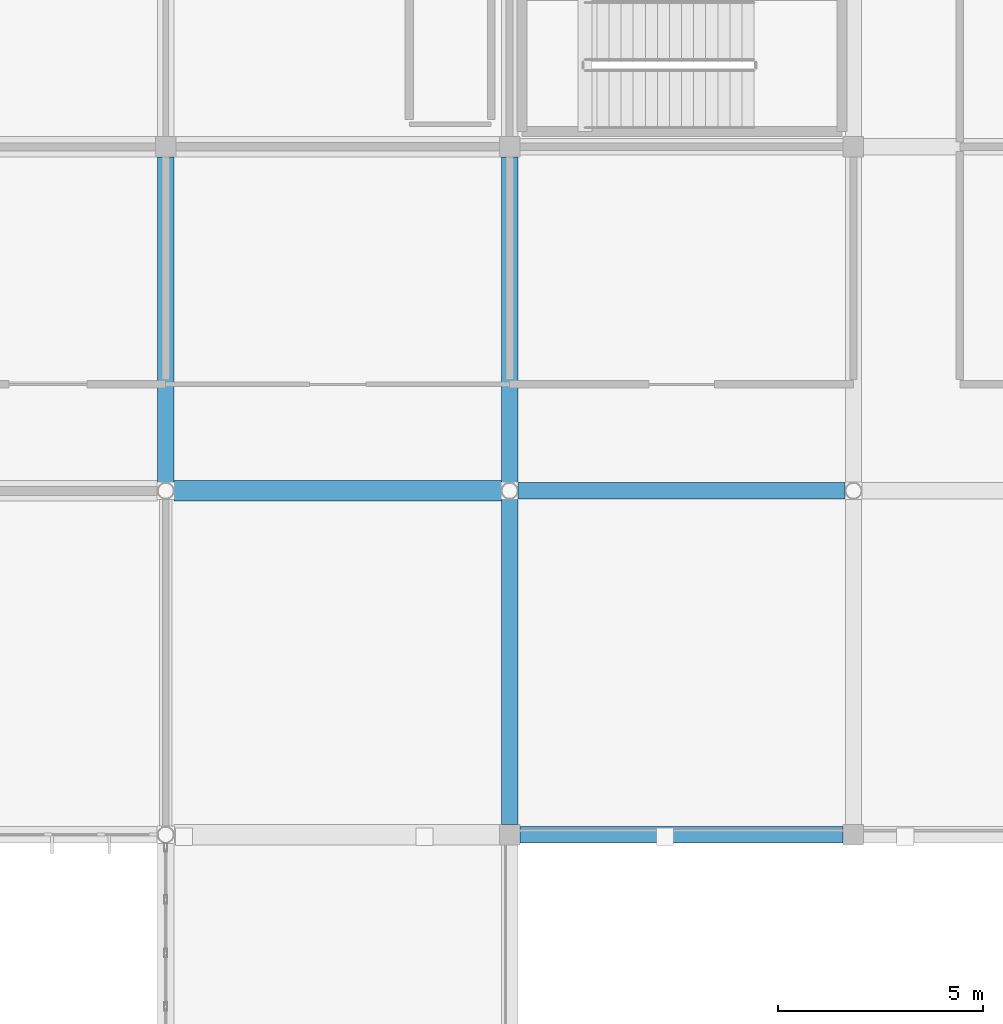
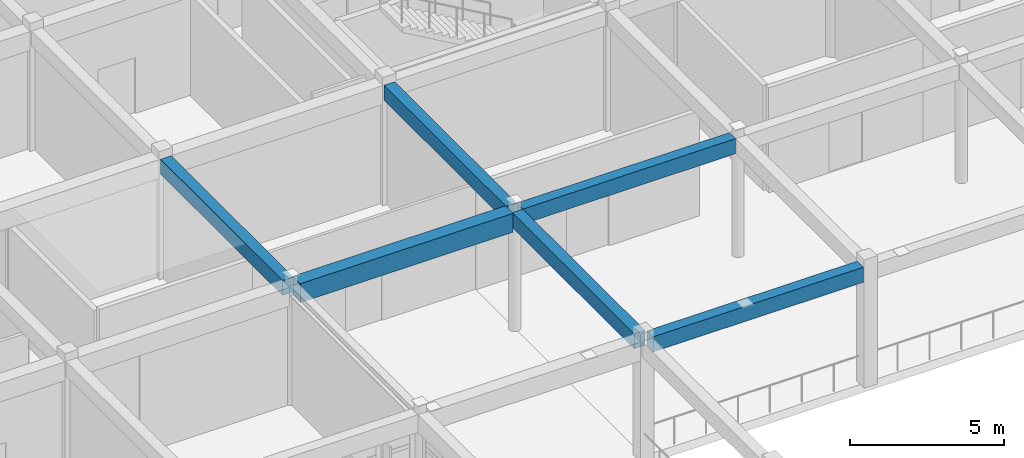
# One storey, part 18 of 134: 6 beams.
"""IFC4 building model written with IfcOpenShell, lengths in metres."""

from ifc_helpers import new_model, si_unit, direction, frame, origin, origin_2d, place, context, subcontext, project, spatial, rectangle, extrude, material, material_profile, profile_set, type_object, element, save


model = new_model("IFC4")

# Units and contexts
model_context = context("Model", 3, precision=1e-05, world=origin(), true_north=direction((0.0, 1.0)))
body_context = subcontext(model_context, "Body", "Model", "MODEL_VIEW")
ifc_project = project(units=[si_unit("LENGTHUNIT", "METRE"), si_unit("AREAUNIT", "SQUARE_METRE"), si_unit("VOLUMEUNIT", "CUBIC_METRE"), si_unit("PLANEANGLEUNIT", "RADIAN"), si_unit("MASSUNIT", "GRAM", prefix="KILO")], contexts=[model_context])

# Site, building, storey
site_placement = place(None, origin())
site = spatial("IfcSite", under=ifc_project, at=site_placement, CompositionType="ELEMENT")
building_placement = place(site_placement, origin())
building = spatial("IfcBuilding", under=site, at=building_placement, Name="Bramfleet General Hospital", CompositionType="ELEMENT")
storey_placement = place(building_placement, frame((0.0, 0.0, 9.300048828125)))
storey = spatial("IfcBuildingStorey", under=building, at=storey_placement, Name="L02", CompositionType="ELEMENT", Elevation=9.300048828125)

# Beams
ifc_material = material(Name="Concrete C35/45", Category="concrete")
ifc_material_profile_1 = material_profile(ifc_material, rectangle(XDim=0.39990234375, YDim=0.60009765625, at=origin_2d()), Name="RC BM 600x400")
ifc_profile_set_1 = profile_set([ifc_material_profile_1], Name="Concrete C35/45")
beam_type_1 = type_object("IfcBeamType", Name="BM-RC600", PredefinedType="BEAM", material=ifc_profile_set_1)
beam_1_placement = place(storey_placement, frame((59.050048828125, 50.39990234375, 4.47998046875), z_axis=(1.0, 0.0, 0.0), x_axis=(0.0, 1.0, 0.0)))
element("IfcBeam", 1, at=beam_1_placement, inside=storey, type_object=beam_type_1, Name="L02 Grid Beam X 07-06", PredefinedType="BEAM", context=body_context, shape_type="SweptSolid", body=[
    extrude(rectangle(XDim=0.39990234375, YDim=0.60009765625, at=origin_2d()), origin(), (0.0, 0.0, 1.0), 7.89990234375),
])
beam_2_placement = place(storey_placement, frame((59.003173828125, 58.800048828125, 4.47998046875), z_axis=(1.0, 0.0, 0.0), x_axis=(0.0, 1.0, 0.0)))
element("IfcBeam", 2, at=beam_2_placement, inside=storey, type_object=beam_type_1, Name="L02 Grid Beam X 07-07", PredefinedType="BEAM", context=body_context, shape_type="SweptSolid", body=[
    extrude(rectangle(XDim=0.39990234375, YDim=0.60009765625, at=origin_2d()), origin(), (0.0, 0.0, 1.0), 7.99365234375),
])
for number, where, z_axis, x_axis, name in (
    (3, (50.39990234375, 59.003173828125, 4.47998046875), (0.0, 1.0, 0.0), (-1.0, 0.0, 0.0), "L02 Grid Beam Y 06-07"),
    (4, (58.800048828125, 50.64990234375, 4.47998046875), (0.0, 1.0, 0.0), (-1.0, 0.0, 0.0), "L02 Grid Beam Y 07-06"),
    (5, (58.800048828125, 59.003173828125, 4.47998046875), (0.0, 1.0, 0.0), (-1.0, 0.0, 0.0), "L02 Grid Beam Y 07-07"),
):
    element("IfcBeam", number, at=place(storey_placement, frame(where, z_axis=z_axis, x_axis=x_axis)), inside=storey, type_object=beam_type_1, Name=name, PredefinedType="BEAM", context=body_context, shape_type="SweptSolid", body=[
        extrude(rectangle(XDim=0.39990234375, YDim=0.60009765625, at=origin_2d()), origin(), (0.0, 0.0, 1.0), 7.94677734375),
    ])
ifc_material_profile_2 = material_profile(ifc_material, rectangle(XDim=0.5, YDim=0.75, at=origin_2d()), Name="RC BM 750x500")
ifc_profile_set_2 = profile_set([ifc_material_profile_2], Name="Concrete C35/45")
beam_type_2 = type_object("IfcBeamType", Name="BM-RC750", PredefinedType="BEAM", material=ifc_profile_set_2)
beam_3_placement = place(storey_placement, frame((50.603271484375, 58.800048828125, 4.405029296875), z_axis=(1.0, 0.0, 0.0), x_axis=(0.0, 1.0, 0.0)))
element("IfcBeam", 6, at=beam_3_placement, inside=storey, type_object=beam_type_2, Name="L02 Grid Beam X 06-07", PredefinedType="BEAM", context=body_context, shape_type="SweptSolid", body=[
    extrude(rectangle(XDim=0.5, YDim=0.75, at=origin_2d()), origin(), (0.0, 0.0, 1.0), 7.993408203125),
])

save(model, "model.ifc")
